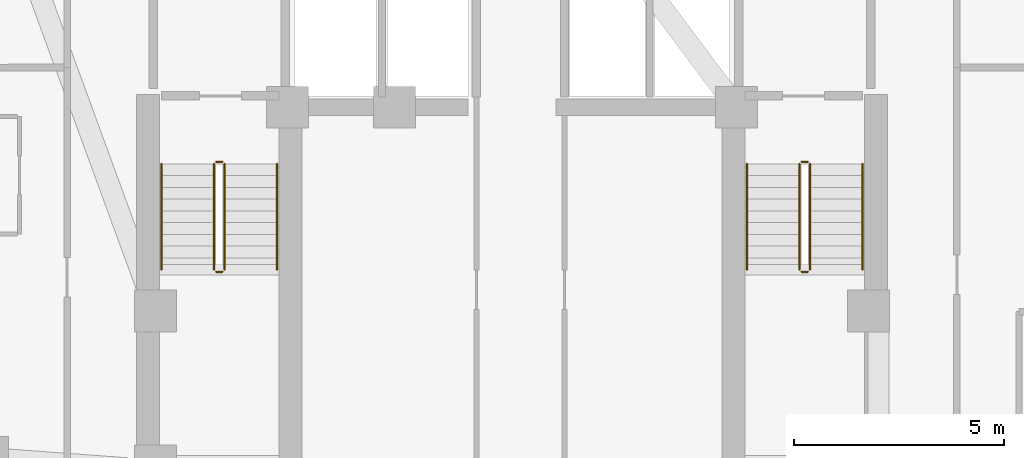
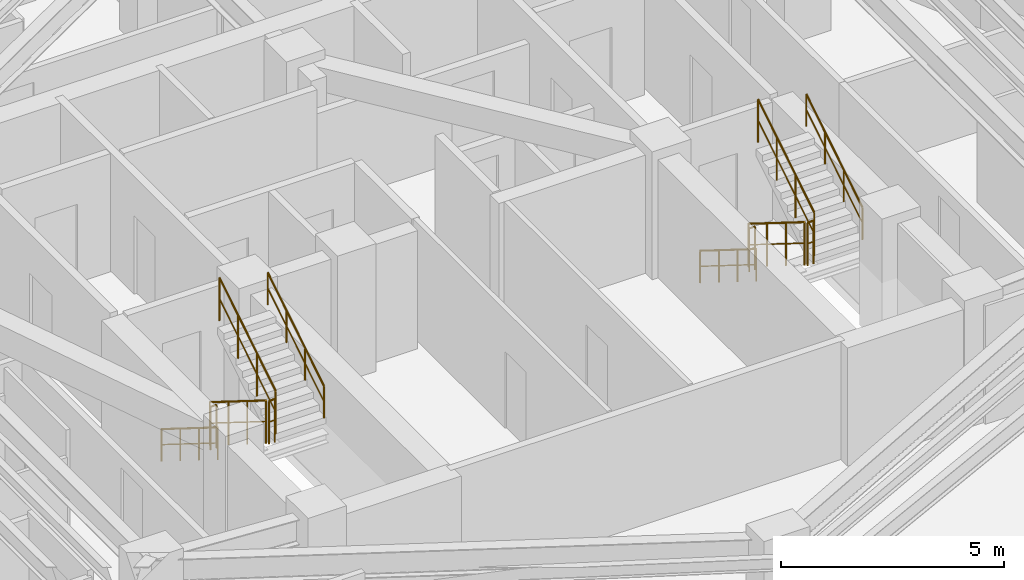
# One storey, part 10 of 10: 12 railings.
"""IFC4 building model written with IfcOpenShell, lengths in metres."""

from ifc_helpers import new_model, si_unit, direction, frame, origin, origin_2d, place, context, subcontext, project, spatial, circle, extrude, material, type_object, element, save


model = new_model("IFC4")

# Units and contexts
model_context = context("Model", 3, precision=1e-05, world=origin(), true_north=direction((0.0, 1.0)))
body_context = subcontext(model_context, "Body", "Model", "MODEL_VIEW")
ifc_project = project(units=[si_unit("LENGTHUNIT", "METRE"), si_unit("AREAUNIT", "SQUARE_METRE"), si_unit("VOLUMEUNIT", "CUBIC_METRE"), si_unit("PLANEANGLEUNIT", "RADIAN"), si_unit("MASSUNIT", "GRAM", prefix="KILO")], contexts=[model_context])

# Site, building, storey
site_placement = place(None, origin())
site = spatial("IfcSite", under=ifc_project, at=site_placement, CompositionType="ELEMENT")
building_placement = place(site_placement, origin())
building = spatial("IfcBuilding", under=site, at=building_placement, Name="Miruveldt Soraemaru", CompositionType="ELEMENT")
storey_placement = place(building_placement, frame((0.0, 0.0, 163.39990234375)))
storey = spatial("IfcBuildingStorey", under=building, at=storey_placement, Name="L45", CompositionType="ELEMENT", Elevation=163.39990234375)

# Railings
ifc_material = material(Name="Steel S355 (355 MPa)", Category="steel")
railing_type_1 = type_object("IfcRailingType", Name="RAIL-HR-900", PredefinedType="HANDRAIL", material=ifc_material)
railing_1_placement = place(storey_placement, frame((35.64990234375, 42.699951171875, 0.175048828125)))
element("IfcRailing", 1, at=railing_1_placement, inside=storey, type_object=railing_type_1, Name="L45 ST-1 stair handrail 1", PredefinedType="HANDRAIL", context=body_context, shape_type="SweptSolid", body=[
    extrude(circle(Radius=0.02392578125, at=origin_2d()), frame((0.0, 0.0, 0.8759765625), z_axis=(0.0, -0.848007534815, 0.529984170421), x_axis=(1.0, 0.0, 0.0)), (0.0, 0.0, 1.0), 2.9716796875),
    extrude(circle(Radius=0.01611328125, at=origin_2d()), frame((0.0, 0.0, 0.449951171875), z_axis=(0.0, -0.848007534815, 0.529984170421), x_axis=(1.0, 0.0, 0.0)), (0.0, 0.0, 1.0), 2.9716796875),
    extrude(circle(Radius=0.02099609375, at=origin_2d()), origin(), (0.0, 0.0, 1.0), 0.851806640625),
    extrude(circle(Radius=0.02099609375, at=origin_2d()), frame((0.0, -0.840087890625, 0.52490234375)), (0.0, 0.0, 1.0), 0.851806640625),
    extrude(circle(Radius=0.02099609375, at=origin_2d()), frame((0.0, -1.679931640625, 1.050048828125)), (0.0, 0.0, 1.0), 0.851806640625),
    extrude(circle(Radius=0.02099609375, at=origin_2d()), frame((0.0, -2.52001953125, 1.574951171875)), (0.0, 0.0, 1.0), 0.851806640625),
])
railing_2_placement = place(storey_placement, frame((38.39990234375, 40.179931640625, 1.925048828125)))
element("IfcRailing", 2, at=railing_2_placement, inside=storey, type_object=railing_type_1, Name="L45 ST-1 stair handrail 2", PredefinedType="HANDRAIL", context=body_context, shape_type="SweptSolid", body=[
    extrude(circle(Radius=0.02392578125, at=origin_2d()), frame((0.0, 0.0, 0.8759765625), z_axis=(0.0, 0.848007534815, 0.529984170421), x_axis=(-1.0, 0.0, 0.0)), (0.0, 0.0, 1.0), 2.9716796875),
    extrude(circle(Radius=0.01611328125, at=origin_2d()), frame((0.0, 0.0, 0.449951171875), z_axis=(0.0, 0.848007534815, 0.529984170421), x_axis=(-1.0, 0.0, 0.0)), (0.0, 0.0, 1.0), 2.9716796875),
    extrude(circle(Radius=0.02099609375, at=origin_2d()), origin(), (0.0, 0.0, 1.0), 0.851806640625),
    extrude(circle(Radius=0.02099609375, at=origin_2d()), frame((0.0, 0.840087890625, 0.52490234375)), (0.0, 0.0, 1.0), 0.851806640625),
    extrude(circle(Radius=0.02099609375, at=origin_2d()), frame((0.0, 1.679931640625, 1.050048828125)), (0.0, 0.0, 1.0), 0.851806640625),
    extrude(circle(Radius=0.02099609375, at=origin_2d()), frame((0.0, 2.52001953125, 1.574951171875)), (0.0, 0.0, 1.0), 0.851806640625),
])
railing_3_placement = place(storey_placement, frame((49.60009765625, 42.699951171875, 0.175048828125)))
element("IfcRailing", 3, at=railing_3_placement, inside=storey, type_object=railing_type_1, Name="L45 ST-2 stair handrail 1", PredefinedType="HANDRAIL", context=body_context, shape_type="SweptSolid", body=[
    extrude(circle(Radius=0.02392578125, at=origin_2d()), frame((0.0, 0.0, 0.8759765625), z_axis=(0.0, -0.848007534815, 0.529984170421), x_axis=(1.0, 0.0, 0.0)), (0.0, 0.0, 1.0), 2.9716796875),
    extrude(circle(Radius=0.01611328125, at=origin_2d()), frame((0.0, 0.0, 0.449951171875), z_axis=(0.0, -0.848007534815, 0.529984170421), x_axis=(1.0, 0.0, 0.0)), (0.0, 0.0, 1.0), 2.9716796875),
    extrude(circle(Radius=0.02099609375, at=origin_2d()), origin(), (0.0, 0.0, 1.0), 0.851806640625),
    extrude(circle(Radius=0.02099609375, at=origin_2d()), frame((0.0, -0.840087890625, 0.52490234375)), (0.0, 0.0, 1.0), 0.851806640625),
    extrude(circle(Radius=0.02099609375, at=origin_2d()), frame((0.0, -1.679931640625, 1.050048828125)), (0.0, 0.0, 1.0), 0.851806640625),
    extrude(circle(Radius=0.02099609375, at=origin_2d()), frame((0.0, -2.52001953125, 1.574951171875)), (0.0, 0.0, 1.0), 0.851806640625),
])
railing_4_placement = place(storey_placement, frame((52.35009765625, 40.179931640625, 1.925048828125)))
element("IfcRailing", 4, at=railing_4_placement, inside=storey, type_object=railing_type_1, Name="L45 ST-2 stair handrail 2", PredefinedType="HANDRAIL", context=body_context, shape_type="SweptSolid", body=[
    extrude(circle(Radius=0.02392578125, at=origin_2d()), frame((0.0, 0.0, 0.8759765625), z_axis=(0.0, 0.848007534815, 0.529984170421), x_axis=(-1.0, 0.0, 0.0)), (0.0, 0.0, 1.0), 2.9716796875),
    extrude(circle(Radius=0.01611328125, at=origin_2d()), frame((0.0, 0.0, 0.449951171875), z_axis=(0.0, 0.848007534815, 0.529984170421), x_axis=(-1.0, 0.0, 0.0)), (0.0, 0.0, 1.0), 2.9716796875),
    extrude(circle(Radius=0.02099609375, at=origin_2d()), origin(), (0.0, 0.0, 1.0), 0.851806640625),
    extrude(circle(Radius=0.02099609375, at=origin_2d()), frame((0.0, 0.840087890625, 0.52490234375)), (0.0, 0.0, 1.0), 0.851806640625),
    extrude(circle(Radius=0.02099609375, at=origin_2d()), frame((0.0, 1.679931640625, 1.050048828125)), (0.0, 0.0, 1.0), 0.851806640625),
    extrude(circle(Radius=0.02099609375, at=origin_2d()), frame((0.0, 2.52001953125, 1.574951171875)), (0.0, 0.0, 1.0), 0.851806640625),
])
railing_type_2 = type_object("IfcRailingType", Name="RAIL-STGUARD-1200", PredefinedType="GUARDRAIL", material=ifc_material)
railing_5_placement = place(storey_placement, frame((36.89990234375, 42.699951171875, 0.175048828125)))
element("IfcRailing", 5, at=railing_5_placement, inside=storey, type_object=railing_type_2, Name="L45 ST-1 stair guard 1", PredefinedType="GUARDRAIL", context=body_context, shape_type="SweptSolid", body=[
    extrude(circle(Radius=0.02392578125, at=origin_2d()), frame((0.0, 0.0, 1.17578125), z_axis=(0.0, -0.848007534815, 0.529984170421), x_axis=(1.0, 0.0, 0.0)), (0.0, 0.0, 1.0), 2.9716796875),
    extrude(circle(Radius=0.01611328125, at=origin_2d()), frame((0.0, 0.0, 0.60009765625), z_axis=(0.0, -0.848007534815, 0.529984170421), x_axis=(1.0, 0.0, 0.0)), (0.0, 0.0, 1.0), 2.9716796875),
    extrude(circle(Radius=0.02099609375, at=origin_2d()), origin(), (0.0, 0.0, 1.0), 1.15185546875),
    extrude(circle(Radius=0.02099609375, at=origin_2d()), frame((0.0, -0.840087890625, 0.52490234375)), (0.0, 0.0, 1.0), 1.15185546875),
    extrude(circle(Radius=0.02099609375, at=origin_2d()), frame((0.0, -1.679931640625, 1.050048828125)), (0.0, 0.0, 1.0), 1.15185546875),
    extrude(circle(Radius=0.02099609375, at=origin_2d()), frame((0.0, -2.52001953125, 1.574951171875)), (0.0, 0.0, 1.0), 1.15185546875),
])
railing_6_placement = place(storey_placement, frame((36.949951171875, 40.1298828125, 1.75)))
element("IfcRailing", 6, at=railing_6_placement, inside=storey, type_object=railing_type_2, Name="L45 ST-1 stair guard 2", PredefinedType="GUARDRAIL", context=body_context, shape_type="SweptSolid", body=[
    extrude(circle(Radius=0.02392578125, at=origin_2d()), frame((0.0, 0.0, 1.17578125), z_axis=(1.0, 0.0, 0.0), x_axis=(0.0, 1.0, 0.0)), (0.0, 0.0, 1.0), 0.150146484375),
    extrude(circle(Radius=0.01611328125, at=origin_2d()), frame((0.0, 0.0, 0.60009765625), z_axis=(1.0, 0.0, 0.0), x_axis=(0.0, 1.0, 0.0)), (0.0, 0.0, 1.0), 0.150146484375),
    extrude(circle(Radius=0.02099609375, at=origin_2d()), origin(), (0.0, 0.0, 1.0), 1.15185546875),
    extrude(circle(Radius=0.02099609375, at=origin_2d()), frame((0.150146484375, 0.0, 0.0)), (0.0, 0.0, 1.0), 1.15185546875),
])
railing_7_placement = place(storey_placement, frame((37.14990234375, 40.179931640625, 1.925048828125)))
element("IfcRailing", 7, at=railing_7_placement, inside=storey, type_object=railing_type_2, Name="L45 ST-1 stair guard 3", PredefinedType="GUARDRAIL", context=body_context, shape_type="SweptSolid", body=[
    extrude(circle(Radius=0.02392578125, at=origin_2d()), frame((0.0, 0.0, 1.17578125), z_axis=(0.0, 0.848007534815, 0.529984170421), x_axis=(-1.0, 0.0, 0.0)), (0.0, 0.0, 1.0), 2.9716796875),
    extrude(circle(Radius=0.01611328125, at=origin_2d()), frame((0.0, 0.0, 0.60009765625), z_axis=(0.0, 0.848007534815, 0.529984170421), x_axis=(-1.0, 0.0, 0.0)), (0.0, 0.0, 1.0), 2.9716796875),
    extrude(circle(Radius=0.02099609375, at=origin_2d()), origin(), (0.0, 0.0, 1.0), 1.15185546875),
    extrude(circle(Radius=0.02099609375, at=origin_2d()), frame((0.0, 0.840087890625, 0.52490234375)), (0.0, 0.0, 1.0), 1.15185546875),
    extrude(circle(Radius=0.02099609375, at=origin_2d()), frame((0.0, 1.679931640625, 1.050048828125)), (0.0, 0.0, 1.0), 1.15185546875),
    extrude(circle(Radius=0.02099609375, at=origin_2d()), frame((0.0, 2.52001953125, 1.574951171875)), (0.0, 0.0, 1.0), 1.15185546875),
])
railing_8_placement = place(storey_placement, frame((36.949951171875, 42.75, 0.0)))
element("IfcRailing", 8, at=railing_8_placement, inside=storey, type_object=railing_type_2, Name="L45 ST-1 stair guard 4", PredefinedType="GUARDRAIL", context=body_context, shape_type="SweptSolid", body=[
    extrude(circle(Radius=0.02392578125, at=origin_2d()), frame((0.0, 0.0, 1.17578125), z_axis=(1.0, 0.0, 0.0), x_axis=(0.0, 1.0, 0.0)), (0.0, 0.0, 1.0), 0.150146484375),
    extrude(circle(Radius=0.01611328125, at=origin_2d()), frame((0.0, 0.0, 0.60009765625), z_axis=(1.0, 0.0, 0.0), x_axis=(0.0, 1.0, 0.0)), (0.0, 0.0, 1.0), 0.150146484375),
    extrude(circle(Radius=0.02099609375, at=origin_2d()), origin(), (0.0, 0.0, 1.0), 1.15185546875),
    extrude(circle(Radius=0.02099609375, at=origin_2d()), frame((0.150146484375, 0.0, 0.0)), (0.0, 0.0, 1.0), 1.15185546875),
])
railing_9_placement = place(storey_placement, frame((50.85009765625, 42.699951171875, 0.175048828125)))
element("IfcRailing", 9, at=railing_9_placement, inside=storey, type_object=railing_type_2, Name="L45 ST-2 stair guard 1", PredefinedType="GUARDRAIL", context=body_context, shape_type="SweptSolid", body=[
    extrude(circle(Radius=0.02392578125, at=origin_2d()), frame((0.0, 0.0, 1.17578125), z_axis=(0.0, -0.848007534815, 0.529984170421), x_axis=(1.0, 0.0, 0.0)), (0.0, 0.0, 1.0), 2.9716796875),
    extrude(circle(Radius=0.01611328125, at=origin_2d()), frame((0.0, 0.0, 0.60009765625), z_axis=(0.0, -0.848007534815, 0.529984170421), x_axis=(1.0, 0.0, 0.0)), (0.0, 0.0, 1.0), 2.9716796875),
    extrude(circle(Radius=0.02099609375, at=origin_2d()), origin(), (0.0, 0.0, 1.0), 1.15185546875),
    extrude(circle(Radius=0.02099609375, at=origin_2d()), frame((0.0, -0.840087890625, 0.52490234375)), (0.0, 0.0, 1.0), 1.15185546875),
    extrude(circle(Radius=0.02099609375, at=origin_2d()), frame((0.0, -1.679931640625, 1.050048828125)), (0.0, 0.0, 1.0), 1.15185546875),
    extrude(circle(Radius=0.02099609375, at=origin_2d()), frame((0.0, -2.52001953125, 1.574951171875)), (0.0, 0.0, 1.0), 1.15185546875),
])
railing_10_placement = place(storey_placement, frame((50.89990234375, 40.1298828125, 1.75)))
element("IfcRailing", 10, at=railing_10_placement, inside=storey, type_object=railing_type_2, Name="L45 ST-2 stair guard 2", PredefinedType="GUARDRAIL", context=body_context, shape_type="SweptSolid", body=[
    extrude(circle(Radius=0.02392578125, at=origin_2d()), frame((0.0, 0.0, 1.17578125), z_axis=(1.0, 0.0, 0.0), x_axis=(0.0, 1.0, 0.0)), (0.0, 0.0, 1.0), 0.150146484375),
    extrude(circle(Radius=0.01611328125, at=origin_2d()), frame((0.0, 0.0, 0.60009765625), z_axis=(1.0, 0.0, 0.0), x_axis=(0.0, 1.0, 0.0)), (0.0, 0.0, 1.0), 0.150146484375),
    extrude(circle(Radius=0.02099609375, at=origin_2d()), origin(), (0.0, 0.0, 1.0), 1.15185546875),
    extrude(circle(Radius=0.02099609375, at=origin_2d()), frame((0.150146484375, 0.0, 0.0)), (0.0, 0.0, 1.0), 1.15185546875),
])
railing_11_placement = place(storey_placement, frame((51.10009765625, 40.179931640625, 1.925048828125)))
element("IfcRailing", 11, at=railing_11_placement, inside=storey, type_object=railing_type_2, Name="L45 ST-2 stair guard 3", PredefinedType="GUARDRAIL", context=body_context, shape_type="SweptSolid", body=[
    extrude(circle(Radius=0.02392578125, at=origin_2d()), frame((0.0, 0.0, 1.17578125), z_axis=(0.0, 0.848007534815, 0.529984170421), x_axis=(-1.0, 0.0, 0.0)), (0.0, 0.0, 1.0), 2.9716796875),
    extrude(circle(Radius=0.01611328125, at=origin_2d()), frame((0.0, 0.0, 0.60009765625), z_axis=(0.0, 0.848007534815, 0.529984170421), x_axis=(-1.0, 0.0, 0.0)), (0.0, 0.0, 1.0), 2.9716796875),
    extrude(circle(Radius=0.02099609375, at=origin_2d()), origin(), (0.0, 0.0, 1.0), 1.15185546875),
    extrude(circle(Radius=0.02099609375, at=origin_2d()), frame((0.0, 0.840087890625, 0.52490234375)), (0.0, 0.0, 1.0), 1.15185546875),
    extrude(circle(Radius=0.02099609375, at=origin_2d()), frame((0.0, 1.679931640625, 1.050048828125)), (0.0, 0.0, 1.0), 1.15185546875),
    extrude(circle(Radius=0.02099609375, at=origin_2d()), frame((0.0, 2.52001953125, 1.574951171875)), (0.0, 0.0, 1.0), 1.15185546875),
])
railing_12_placement = place(storey_placement, frame((50.89990234375, 42.75, 0.0)))
element("IfcRailing", 12, at=railing_12_placement, inside=storey, type_object=railing_type_2, Name="L45 ST-2 stair guard 4", PredefinedType="GUARDRAIL", context=body_context, shape_type="SweptSolid", body=[
    extrude(circle(Radius=0.02392578125, at=origin_2d()), frame((0.0, 0.0, 1.17578125), z_axis=(1.0, 0.0, 0.0), x_axis=(0.0, 1.0, 0.0)), (0.0, 0.0, 1.0), 0.150146484375),
    extrude(circle(Radius=0.01611328125, at=origin_2d()), frame((0.0, 0.0, 0.60009765625), z_axis=(1.0, 0.0, 0.0), x_axis=(0.0, 1.0, 0.0)), (0.0, 0.0, 1.0), 0.150146484375),
    extrude(circle(Radius=0.02099609375, at=origin_2d()), origin(), (0.0, 0.0, 1.0), 1.15185546875),
    extrude(circle(Radius=0.02099609375, at=origin_2d()), frame((0.150146484375, 0.0, 0.0)), (0.0, 0.0, 1.0), 1.15185546875),
])

save(model, "model.ifc")
